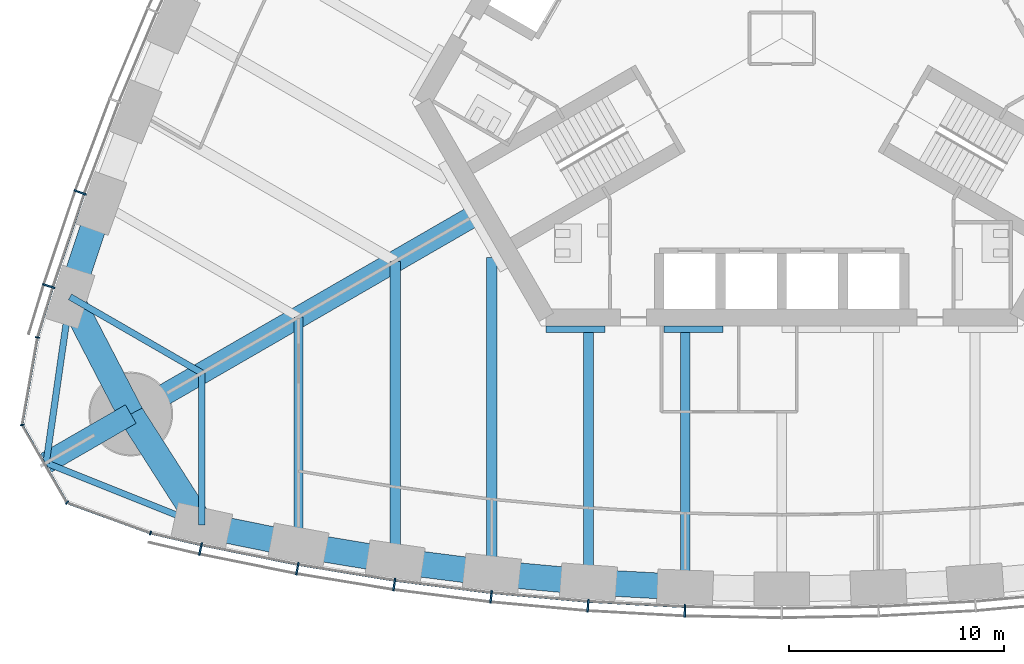
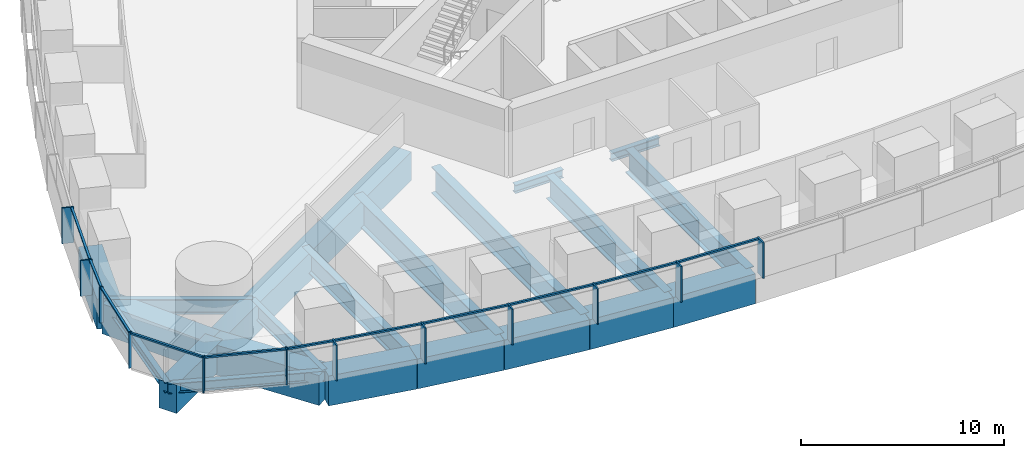
# One storey, part 2 of 18: 23 members, 21 beams, 3 elements without a shape of their own.
"""IFC4 building model written with IfcOpenShell, lengths in metres."""

from ifc_helpers import new_model, si_unit, direction, frame, origin, origin_2d, place, context, subcontext, project, spatial, rectangle, i_section, extrude, material, material_profile, profile_set, type_object, element, aggregate, save


model = new_model("IFC4")

# Units and contexts
model_context = context("Model", 3, precision=1e-05, world=origin(), true_north=direction((0.0, 1.0)))
body_context = subcontext(model_context, "Body", "Model", "MODEL_VIEW")
ifc_project = project(units=[si_unit("LENGTHUNIT", "METRE"), si_unit("AREAUNIT", "SQUARE_METRE"), si_unit("VOLUMEUNIT", "CUBIC_METRE"), si_unit("PLANEANGLEUNIT", "RADIAN"), si_unit("MASSUNIT", "GRAM", prefix="KILO")], contexts=[model_context])

# Site, building, storey
site_placement = place(None, origin())
site = spatial("IfcSite", under=ifc_project, at=site_placement, CompositionType="ELEMENT")
building_placement = place(site_placement, origin())
building = spatial("IfcBuilding", under=site, at=building_placement, Name="Trefoil Bronze Tower", CompositionType="ELEMENT")
storey_placement = place(building_placement, frame((0.0, 0.0, 174.5)))
storey = spatial("IfcBuildingStorey", under=building, at=storey_placement, Name="L40", CompositionType="ELEMENT", Elevation=174.5)

# Curtain wall, members
ifc_material_1 = material(Name="Tinted solar-control glass", Category="glass")
curtain_wall_type_1 = type_object("IfcCurtainWallType", Name="Bronze office curtain wall", PredefinedType="USERDEFINED", material=ifc_material_1)
curtain_wall_1_placement = place(storey_placement, origin())
curtain_wall_1 = element("IfcCurtainWall", 1, at=curtain_wall_1_placement, inside=storey, type_object=curtain_wall_type_1, Name="CW-A L40 F1", ObjectType="CURTAIN WALL", PredefinedType="USERDEFINED")
ifc_material_2 = material(Name="Bronze-finish aluminium", Category="aluminium")
ifc_material_profile_1 = material_profile(ifc_material_2, rectangle(XDim=0.60009765625, YDim=0.080078125, at=origin_2d()), Name="CW-A mullion")
ifc_profile_set_1 = profile_set([ifc_material_profile_1], Name="Bronze-finish aluminium")
member_type_1 = type_object("IfcMemberType", Name="Bronze office curtain wall mullion", PredefinedType="MULLION", material=ifc_profile_set_1)
member_1_placement = place(storey_placement, frame((-27.0634765625, -23.7890625, 0.0), z_axis=(0.0, 0.0, 1.0), x_axis=(0.21197042503, 0.977276081214, 0.0)))
member_1 = element("IfcMember", 2, at=member_1_placement, type_object=member_type_1, Name="CW-A L40 F1 mullion 2", PredefinedType="MULLION", context=body_context, shape_type="SweptSolid", body=[
    extrude(rectangle(XDim=0.60009765625, YDim=0.080078125, at=origin_2d()), origin(), (0.0, 0.0, 1.0), 2.14990234375),
])
member_2_placement = place(storey_placement, frame((-22.553955078125, -24.700927734375, 0.0), z_axis=(0.0, 0.0, 1.0), x_axis=(0.180240853954, 0.98362250613, 0.0)))
member_2 = element("IfcMember", 3, at=member_2_placement, type_object=member_type_1, Name="CW-A L40 F1 mullion 3", PredefinedType="MULLION", context=body_context, shape_type="SweptSolid", body=[
    extrude(rectangle(XDim=0.60009765625, YDim=0.080078125, at=origin_2d()), origin(), (0.0, 0.0, 1.0), 2.14990234375),
])
member_3_placement = place(storey_placement, frame((-18.043212890625, -25.4423828125, 0.0), z_axis=(0.0, 0.0, 1.0), x_axis=(0.144192103798, 0.989549714366, 0.0)))
member_3 = element("IfcMember", 4, at=member_3_placement, type_object=member_type_1, Name="CW-A L40 F1 mullion 4", PredefinedType="MULLION", context=body_context, shape_type="SweptSolid", body=[
    extrude(rectangle(XDim=0.60009765625, YDim=0.080078125, at=origin_2d()), origin(), (0.0, 0.0, 1.0), 2.14990234375),
])
member_4_placement = place(storey_placement, frame((-13.532470703125, -26.01611328125, 0.0), z_axis=(0.0, 0.0, 1.0), x_axis=(0.108143747013, 0.994135267447, 0.0)))
member_4 = element("IfcMember", 5, at=member_4_placement, type_object=member_type_1, Name="CW-A L40 F1 mullion 5", PredefinedType="MULLION", context=body_context, shape_type="SweptSolid", body=[
    extrude(rectangle(XDim=0.60009765625, YDim=0.080078125, at=origin_2d()), origin(), (0.0, 0.0, 1.0), 2.14990234375),
])
member_5_placement = place(storey_placement, frame((-9.021728515625, -26.424072265625, 0.0), z_axis=(0.0, 0.0, 1.0), x_axis=(0.072095676284, 0.997397720802, 0.0)))
member_5 = element("IfcMember", 6, at=member_5_placement, type_object=member_type_1, Name="CW-A L40 F1 mullion 6", PredefinedType="MULLION", context=body_context, shape_type="SweptSolid", body=[
    extrude(rectangle(XDim=0.60009765625, YDim=0.080078125, at=origin_2d()), origin(), (0.0, 0.0, 1.0), 2.14990234375),
])
member_6_placement = place(storey_placement, frame((-4.5107421875, -26.66845703125, 0.0), z_axis=(0.0, 0.0, 1.0), x_axis=(0.036047792107, 0.999350067136, 0.0)))
member_6 = element("IfcMember", 7, at=member_6_placement, type_object=member_type_1, Name="CW-A L40 F1 mullion 7", PredefinedType="MULLION", context=body_context, shape_type="SweptSolid", body=[
    extrude(rectangle(XDim=0.60009765625, YDim=0.080078125, at=origin_2d()), origin(), (0.0, 0.0, 1.0), 2.14990234375),
])

curtain_wall_2_placement = place(storey_placement, origin())
curtain_wall_2 = element("IfcCurtainWall", 8, at=curtain_wall_2_placement, inside=storey, type_object=curtain_wall_type_1, Name="CW-A L40 F3", ObjectType="CURTAIN WALL", PredefinedType="USERDEFINED")
member_7_placement = place(storey_placement, frame((-32.668701171875, -7.181884765625, 0.0), z_axis=(0.0, 0.0, 1.0), x_axis=(0.94196250502, -0.335718094742, 0.0)))
member_7 = element("IfcMember", 9, at=member_7_placement, type_object=member_type_1, Name="CW-A L40 F3 mullion 13", PredefinedType="MULLION", context=body_context, shape_type="SweptSolid", body=[
    extrude(rectangle(XDim=0.60009765625, YDim=0.080078125, at=origin_2d()), origin(), (0.0, 0.0, 1.0), 2.14990234375),
])
member_8_placement = place(storey_placement, frame((-34.1337890625, -11.543212890625, 0.0), z_axis=(0.0, 0.0, 1.0), x_axis=(0.952331125357, -0.30506626768, 0.0)))
member_8 = element("IfcMember", 10, at=member_8_placement, type_object=member_type_1, Name="CW-A L40 F3 mullion 14", PredefinedType="MULLION", context=body_context, shape_type="SweptSolid", body=[
    extrude(rectangle(XDim=0.60009765625, YDim=0.080078125, at=origin_2d()), origin(), (0.0, 0.0, 1.0), 2.14990234375),
])

# Member
ifc_material_3 = material(Name="Bronze-finish aluminium", Category="aluminium")
ifc_material_profile_2 = material_profile(ifc_material_3, rectangle(XDim=0.1201171875, YDim=0.10009765625, at=origin_2d()), Name="CW-A transom")
ifc_profile_set_2 = profile_set([ifc_material_profile_2], Name="Bronze-finish aluminium")
member_type_2 = type_object("IfcMemberType", Name="Bronze office curtain wall transom", PredefinedType="USERDEFINED", material=ifc_profile_set_2)
member_9_placement = place(storey_placement, frame((-29.34130859375, -23.05615234375, 2.10009765625), z_axis=(0.974206243495, -0.225659467196, 0.0), x_axis=(0.225659467196, 0.974206243495, 0.0)))
member_9 = element("IfcMember", 11, at=member_9_placement, type_object=member_type_2, Name="CW-A L40 F1 transom 1", ObjectType="TRANSOM", PredefinedType="USERDEFINED", context=body_context, shape_type="SweptSolid", body=[
    extrude(rectangle(XDim=0.1201171875, YDim=0.10009765625, at=origin_2d()), origin(), (0.0, 0.0, 1.0), 2.340087890625),
])

member_10_placement = place(storey_placement, frame((-26.980712890625, -23.601806640625, 2.10009765625), z_axis=(0.980153749225, -0.198238815273, 0.0), x_axis=(0.198238815273, 0.980153749225, 0.0)))
member_10 = element("IfcMember", 12, at=member_10_placement, type_object=member_type_2, Name="CW-A L40 F1 transom 2", ObjectType="TRANSOM", PredefinedType="USERDEFINED", context=body_context, shape_type="SweptSolid", body=[
    extrude(rectangle(XDim=0.1201171875, YDim=0.10009765625, at=origin_2d()), origin(), (0.0, 0.0, 1.0), 4.51123046875),
])

member_11_placement = place(storey_placement, frame((-22.476806640625, -24.510986328125, 2.10009765625), z_axis=(0.986755265284, -0.162216048636, 0.0), x_axis=(0.162216048636, 0.986755265284, 0.0)))
member_11 = element("IfcMember", 13, at=member_11_placement, type_object=member_type_2, Name="CW-A L40 F1 transom 3", ObjectType="TRANSOM", PredefinedType="USERDEFINED", context=body_context, shape_type="SweptSolid", body=[
    extrude(rectangle(XDim=0.1201171875, YDim=0.10009765625, at=origin_2d()), origin(), (0.0, 0.0, 1.0), 4.48046875),
])

member_12_placement = place(storey_placement, frame((-17.972900390625, -25.249755859375, 2.10009765625), z_axis=(0.992008387848, -0.12617193998, 0.0), x_axis=(0.12617193998, 0.992008387848, 0.0)))
member_12 = element("IfcMember", 14, at=member_12_placement, type_object=member_type_2, Name="CW-A L40 F1 transom 4", ObjectType="TRANSOM", PredefinedType="USERDEFINED", context=body_context, shape_type="SweptSolid", body=[
    extrude(rectangle(XDim=0.1201171875, YDim=0.10009765625, at=origin_2d()), origin(), (0.0, 0.0, 1.0), 4.456298828125),
])

member_13_placement = place(storey_placement, frame((-13.46923828125, -25.821044921875, 2.10009765625), z_axis=(0.995932787062, -0.090099298863, 0.0), x_axis=(0.090099298863, 0.995932787062, 0.0)))
member_13 = element("IfcMember", 15, at=member_13_placement, type_object=member_type_2, Name="CW-A L40 F1 transom 5", ObjectType="TRANSOM", PredefinedType="USERDEFINED", context=body_context, shape_type="SweptSolid", body=[
    extrude(rectangle(XDim=0.1201171875, YDim=0.10009765625, at=origin_2d()), origin(), (0.0, 0.0, 1.0), 4.4384765625),
])

member_14_placement = place(storey_placement, frame((-8.965576171875, -26.22705078125, 2.10009765625), z_axis=(0.998538253569, -0.054049571306, 0.0), x_axis=(0.054049571306, 0.998538253569, 0.0)))
member_14 = element("IfcMember", 16, at=member_14_placement, type_object=member_type_2, Name="CW-A L40 F1 transom 6", ObjectType="TRANSOM", PredefinedType="USERDEFINED", context=body_context, shape_type="SweptSolid", body=[
    extrude(rectangle(XDim=0.1201171875, YDim=0.10009765625, at=origin_2d()), origin(), (0.0, 0.0, 1.0), 4.4267578125),
])

aggregate(curtain_wall_1, [member_1, member_2, member_3, member_4, member_5, member_6, member_9, member_10, member_11, member_12, member_13, member_14])

member_15_placement = place(storey_placement, frame((-32.49365234375, -7.28857421875, 2.10009765625), z_axis=(-0.318386323729, -0.947961048178, 0.0), x_axis=(0.947961048178, -0.318386323729, 0.0)))
member_15 = element("IfcMember", 17, at=member_15_placement, type_object=member_type_2, Name="CW-A L40 F3 transom 13", ObjectType="TRANSOM", PredefinedType="USERDEFINED", context=body_context, shape_type="SweptSolid", body=[
    extrude(rectangle(XDim=0.1201171875, YDim=0.10009765625, at=origin_2d()), origin(), (0.0, 0.0, 1.0), 4.51123046875),
])

member_16_placement = place(storey_placement, frame((-33.955322265625, -11.643798828125, 2.10009765625), z_axis=(-0.291680468798, -0.956515814883, 0.0), x_axis=(0.956515814883, -0.291680468798, 0.0)))
member_16 = element("IfcMember", 18, at=member_16_placement, type_object=member_type_2, Name="CW-A L40 F3 transom 14", ObjectType="TRANSOM", PredefinedType="USERDEFINED", context=body_context, shape_type="SweptSolid", body=[
    extrude(rectangle(XDim=0.1201171875, YDim=0.10009765625, at=origin_2d()), origin(), (0.0, 0.0, 1.0), 2.34033203125),
])

aggregate(curtain_wall_2, [member_7, member_8, member_15, member_16])

# Curtain wall, members
ifc_material_4 = material(Name="Tinted solar-control glass", Category="glass")
curtain_wall_type_2 = type_object("IfcCurtainWallType", Name="Bronze rounded corner curtain wall", PredefinedType="USERDEFINED", material=ifc_material_4)
curtain_wall_3_placement = place(storey_placement, origin())
curtain_wall_3 = element("IfcCurtainWall", 19, at=curtain_wall_3_placement, inside=storey, type_object=curtain_wall_type_2, Name="CW-B L40 K3", ObjectType="CURTAIN WALL", PredefinedType="USERDEFINED")
ifc_material_5 = material(Name="Bronze-finish aluminium", Category="aluminium")
ifc_material_profile_3 = material_profile(ifc_material_5, rectangle(XDim=0.199951171875, YDim=0.06005859375, at=origin_2d()), Name="CW-B mullion")
ifc_profile_set_3 = profile_set([ifc_material_profile_3], Name="Bronze-finish aluminium")
member_type_3 = type_object("IfcMemberType", Name="Bronze rounded corner curtain wall mullion", PredefinedType="MULLION", material=ifc_profile_set_3)
member_17_placement = place(storey_placement, frame((-34.65234375, -13.932373046875, 0.0), z_axis=(0.0, 0.0, 1.0), x_axis=(0.984807753012, -0.173648177667, 0.0)))
member_17 = element("IfcMember", 20, at=member_17_placement, type_object=member_type_3, Name="CW-B L40 K3 mullion 1", PredefinedType="MULLION", context=body_context, shape_type="SweptSolid", body=[
    extrude(rectangle(XDim=0.199951171875, YDim=0.06005859375, at=origin_2d()), origin(), (0.0, 0.0, 1.0), 2.14990234375),
])
member_18_placement = place(storey_placement, frame((-35.364990234375, -18.009033203125, 0.0), z_axis=(0.0, 0.0, 1.0), x_axis=(0.984807753012, 0.173648177667, 0.0)))
member_18 = element("IfcMember", 21, at=member_18_placement, type_object=member_type_3, Name="CW-B L40 K3 mullion 2", PredefinedType="MULLION", context=body_context, shape_type="SweptSolid", body=[
    extrude(rectangle(XDim=0.199951171875, YDim=0.06005859375, at=origin_2d()), origin(), (0.0, 0.0, 1.0), 2.14990234375),
])
member_19_placement = place(storey_placement, frame((-33.27880859375, -21.62255859375, 0.0), z_axis=(0.0, 0.0, 1.0), x_axis=(0.642787609687, 0.766044443119, 0.0)))
member_19 = element("IfcMember", 22, at=member_19_placement, type_object=member_type_3, Name="CW-B L40 K3 mullion 3", PredefinedType="MULLION", context=body_context, shape_type="SweptSolid", body=[
    extrude(rectangle(XDim=0.199951171875, YDim=0.06005859375, at=origin_2d()), origin(), (0.0, 0.0, 1.0), 2.14990234375),
])
member_20_placement = place(storey_placement, frame((-29.391845703125, -23.043701171875, 0.0), z_axis=(0.0, 0.0, 1.0), x_axis=(0.342020143326, 0.939692620786, 0.0)))
member_20 = element("IfcMember", 23, at=member_20_placement, type_object=member_type_3, Name="CW-B L40 K3 mullion 4", PredefinedType="MULLION", context=body_context, shape_type="SweptSolid", body=[
    extrude(rectangle(XDim=0.199951171875, YDim=0.06005859375, at=origin_2d()), origin(), (0.0, 0.0, 1.0), 2.14990234375),
])
ifc_material_6 = material(Name="Bronze-finish aluminium", Category="aluminium")
ifc_material_profile_4 = material_profile(ifc_material_6, rectangle(XDim=0.1201171875, YDim=0.10009765625, at=origin_2d()), Name="CW-B transom")
ifc_profile_set_4 = profile_set([ifc_material_profile_4], Name="Bronze-finish aluminium")
member_type_4 = type_object("IfcMemberType", Name="Bronze rounded corner curtain wall transom", PredefinedType="USERDEFINED", material=ifc_profile_set_4)
member_21_placement = place(storey_placement, frame((-34.657470703125, -13.9619140625, 2.10009765625), z_axis=(-0.173682016639, -0.984801785689, 0.0), x_axis=(0.984801785689, -0.173682016639, 0.0)))
member_21 = element("IfcMember", 24, at=member_21_placement, type_object=member_type_4, Name="CW-B L40 K3 transom 1", ObjectType="TRANSOM", PredefinedType="USERDEFINED", context=body_context, shape_type="SweptSolid", body=[
    extrude(rectangle(XDim=0.1201171875, YDim=0.10009765625, at=origin_2d()), origin(), (0.0, 0.0, 1.0), 4.044189453125),
])
member_22_placement = place(storey_placement, frame((-35.338134765625, -18.067626953125, 2.10009765625), z_axis=(0.500015078168, -0.866016698225, 0.0), x_axis=(0.866016698225, 0.500015078168, 0.0)))
member_22 = element("IfcMember", 25, at=member_22_placement, type_object=member_type_4, Name="CW-B L40 K3 transom 2", ObjectType="TRANSOM", PredefinedType="USERDEFINED", context=body_context, shape_type="SweptSolid", body=[
    extrude(rectangle(XDim=0.1201171875, YDim=0.10009765625, at=origin_2d()), origin(), (0.0, 0.0, 1.0), 4.04443359375),
])
member_23_placement = place(storey_placement, frame((-33.220458984375, -21.650146484375, 2.10009765625), z_axis=(0.939684096629, -0.342043562347, 0.0), x_axis=(0.342043562347, 0.939684096629, 0.0)))
member_23 = element("IfcMember", 26, at=member_23_placement, type_object=member_type_4, Name="CW-B L40 K3 transom 3", ObjectType="TRANSOM", PredefinedType="USERDEFINED", context=body_context, shape_type="SweptSolid", body=[
    extrude(rectangle(XDim=0.1201171875, YDim=0.10009765625, at=origin_2d()), origin(), (0.0, 0.0, 1.0), 4.044189453125),
])
aggregate(curtain_wall_3, [member_17, member_18, member_19, member_20, member_21, member_22, member_23])

# Beams
ifc_material_7 = material(Name="Steel C355", Category="steel")
ifc_material_profile_5 = material_profile(ifc_material_7, i_section(OverallWidth=0.300048828125, OverallDepth=0.5, WebThickness=0.014404296875, FlangeThickness=0.028076171875, FilletRadius=0.027099609375, at=origin_2d()), Name="HEB 500")
ifc_profile_set_5 = profile_set([ifc_material_profile_5], Name="Steel C355")
beam_type_1 = type_object("IfcBeamType", Name="Core seat beam HEB 500", PredefinedType="BEAM", material=ifc_profile_set_5)
for number, where, z_axis, x_axis, name in (
    (27, (-10.9697265625, -13.550048828125, -0.449951171875), (1.0, 0.0, 0.0), (0.0, 1.0, 0.0), "Core seat beam F1/-2 L40"),
    (28, (-5.48486328125, -13.550048828125, -0.449951171875), (1.0, 0.0, 0.0), (0.0, 1.0, 0.0), "Core seat beam F1/-1 L40"),
):
    element("IfcBeam", number, at=place(storey_placement, frame(where, z_axis=z_axis, x_axis=x_axis)), inside=storey, type_object=beam_type_1, Name=name, PredefinedType="BEAM", context=body_context, shape_type="SweptSolid", body=[
        extrude(i_section(OverallWidth=0.300048828125, OverallDepth=0.5, WebThickness=0.014404296875, FlangeThickness=0.028076171875, FilletRadius=0.027099609375, at=origin_2d()), origin(), (0.0, 0.0, 1.0), 2.742431640625),
    ])
ifc_material_8 = material(Name="Concrete B80", Category="concrete")
ifc_material_profile_6 = material_profile(ifc_material_8, rectangle(XDim=1.0, YDim=1.699951171875, at=origin_2d()), Name="RC 1000x1700")
ifc_profile_set_6 = profile_set([ifc_material_profile_6], Name="Concrete B80")
beam_type_2 = type_object("IfcBeamType", Name="Corner cantilever RC 1000x1700", PredefinedType="BEAM", material=ifc_profile_set_6)
beam_1_placement = place(storey_placement, frame((-30.310791015625, -17.5, -1.050048828125), z_axis=(-0.866031878637, -0.499988785058, 0.0), x_axis=(0.499988785058, -0.866031878637, 0.0)))
element("IfcBeam", 29, at=beam_1_placement, inside=storey, type_object=beam_type_2, Name="Corner cantilever K3 L40", PredefinedType="BEAM", context=body_context, shape_type="SweptSolid", body=[
    extrude(rectangle(XDim=1.0, YDim=1.699951171875, at=origin_2d()), origin(), (0.0, 0.0, 1.0), 4.54931640625),
])
ifc_material_9 = material(Name="Steel C355", Category="steel")
ifc_material_profile_7 = material_profile(ifc_material_9, i_section(OverallWidth=0.300048828125, OverallDepth=0.60009765625, WebThickness=0.015380859375, FlangeThickness=0.030029296875, FilletRadius=0.027099609375, at=origin_2d()), Name="HEB 600")
ifc_profile_set_7 = profile_set([ifc_material_profile_7], Name="Steel C355")
beam_type_3 = type_object("IfcBeamType", Name="Corner edge beam HEB 600", PredefinedType="BEAM", material=ifc_profile_set_7)
for number, where, z_axis, x_axis, name in (
    (30, (-27.0, -22.67724609375, -0.5), (-0.928375332495, 0.371643972122, 0.0), (-0.371643972122, -0.928375332495, 0.0), "Corner edge beam F1B L40"),
    (31, (-33.13916015625, -12.044189453125, -0.5), (-0.142327214588, -0.989819662357, 0.0), (0.989819662357, -0.142327214588, 0.0), "Corner edge beam F3A L40"),
):
    element("IfcBeam", number, at=place(storey_placement, frame(where, z_axis=z_axis, x_axis=x_axis)), inside=storey, type_object=beam_type_3, Name=name, PredefinedType="BEAM", context=body_context, shape_type="SweptSolid", body=[
        extrude(i_section(OverallWidth=0.300048828125, OverallDepth=0.60009765625, WebThickness=0.015380859375, FlangeThickness=0.030029296875, FilletRadius=0.027099609375, at=origin_2d()), origin(), (0.0, 0.0, 1.0), 7.81005859375),
    ])
ifc_material_10 = material(Name="Concrete B80", Category="concrete")
ifc_material_profile_8 = material_profile(ifc_material_10, rectangle(XDim=1.0, YDim=1.699951171875, at=origin_2d()), Name="RC 1000x1700")
ifc_profile_set_8 = profile_set([ifc_material_profile_8], Name="Concrete B80")
beam_type_4 = type_object("IfcBeamType", Name="Corner girder RC 1000x1700", PredefinedType="BEAM", material=ifc_profile_set_8)
beam_2_placement = place(storey_placement, frame((-14.202880859375, -8.199951171875, -1.050048828125), z_axis=(-0.866022084834, -0.500005748546, 0.0), x_axis=(0.500005748546, -0.866022084834, 0.0)))
element("IfcBeam", 32, at=beam_2_placement, inside=storey, type_object=beam_type_4, Name="Corner girder K3 L40", PredefinedType="BEAM", context=body_context, shape_type="SweptSolid", body=[
    extrude(rectangle(XDim=1.0, YDim=1.699951171875, at=origin_2d()), origin(), (0.0, 0.0, 1.0), 18.599853515625),
])
ifc_material_11 = material(Name="Concrete B80", Category="concrete")
ifc_material_profile_9 = material_profile(ifc_material_11, rectangle(XDim=1.199951171875, YDim=1.800048828125, at=origin_2d()), Name="RC 1200x1800")
ifc_profile_set_9 = profile_set([ifc_material_profile_9], Name="Concrete B80")
beam_type_5 = type_object("IfcBeamType", Name="End spandrel beam RC 1200x1800", PredefinedType="SPANDREL", material=ifc_profile_set_9)
for number, where, z_axis, x_axis, name in (
    (33, (-30.310791015625, -17.5, -1.10009765625), (0.53874814953, -0.84246687257, 0.0), (0.84246687257, 0.53874814953, 0.0), "Spandrel F1.1 L40"),
    (34, (-33.13916015625, -12.044189453125, -1.10009765625), (0.460244107083, -0.887792409235, 0.0), (0.887792409235, 0.460244107083, 0.0), "Spandrel F3.14 L40"),
):
    element("IfcBeam", number, at=place(storey_placement, frame(where, z_axis=z_axis, x_axis=x_axis)), inside=storey, type_object=beam_type_5, Name=name, PredefinedType="SPANDREL", context=body_context, shape_type="SweptSolid", body=[
        extrude(rectangle(XDim=1.199951171875, YDim=1.800048828125, at=origin_2d()), origin(), (0.0, 0.0, 1.0), 6.145263671875),
    ])
ifc_material_12 = material(Name="Steel C355", Category="steel")
ifc_material_profile_10 = material_profile(ifc_material_12, i_section(OverallWidth=0.300048828125, OverallDepth=0.89990234375, WebThickness=0.0185546875, FlangeThickness=0.034912109375, FilletRadius=0.030029296875, at=origin_2d()), Name="HEB 900")
ifc_profile_set_10 = profile_set([ifc_material_profile_10], Name="Steel C355")
beam_type_6 = type_object("IfcBeamType", Name="Floor beam HEB 900", PredefinedType="BEAM", material=ifc_profile_set_10)
for number, where, z_axis, x_axis, name in (
    (35, (-27.0, -22.67724609375, -0.64990234375), (0.0, 1.0, 0.0), (-1.0, 0.0, 0.0), "Floor beam F1/-6 L40"),
    (36, (-33.13916015625, -12.044189453125, -0.64990234375), (0.866041060244, -0.499972881236, 0.0), (0.499972881236, 0.866041060244, 0.0), "Floor beam F3/+6 L40"),
):
    element("IfcBeam", number, at=place(storey_placement, frame(where, z_axis=z_axis, x_axis=x_axis)), inside=storey, type_object=beam_type_6, Name=name, PredefinedType="BEAM", context=body_context, shape_type="SweptSolid", body=[
        extrude(i_section(OverallWidth=0.300048828125, OverallDepth=0.89990234375, WebThickness=0.0185546875, FlangeThickness=0.034912109375, FilletRadius=0.030029296875, at=origin_2d()), origin(), (0.0, 0.0, 1.0), 7.0888671875),
    ])
ifc_material_13 = material(Name="Steel C355", Category="steel")
ifc_material_profile_11 = material_profile(ifc_material_13, i_section(OverallWidth=0.39990234375, OverallDepth=1.199951171875, WebThickness=0.02001953125, FlangeThickness=0.0400390625, FilletRadius=0.010009765625, at=origin_2d()), Name="WPG 1200")
ifc_profile_set_11 = profile_set([ifc_material_profile_11], Name="Steel C355")
beam_type_7 = type_object("IfcBeamType", Name="Floor beam WPG 1200", PredefinedType="BEAM", material=ifc_profile_set_11)
beam_3_placement = place(storey_placement, frame((-22.5, -23.592529296875, -0.800048828125), z_axis=(0.0, 1.0, 0.0), x_axis=(-1.0, 0.0, 0.0)))
element("IfcBeam", 37, at=beam_3_placement, inside=storey, type_object=beam_type_7, Name="Floor beam F1/-5 L40", PredefinedType="BEAM", context=body_context, shape_type="SweptSolid", body=[
    extrude(i_section(OverallWidth=0.39990234375, OverallDepth=1.199951171875, WebThickness=0.02001953125, FlangeThickness=0.0400390625, FilletRadius=0.010009765625, at=origin_2d()), origin(), (0.0, 0.0, 1.0), 10.60205078125),
])
ifc_material_14 = material(Name="Steel C355", Category="steel")
ifc_material_profile_12 = material_profile(ifc_material_14, i_section(OverallWidth=0.449951171875, OverallDepth=1.39990234375, WebThickness=0.02294921875, FlangeThickness=0.044921875, FilletRadius=0.011962890625, at=origin_2d()), Name="WPG 1400")
ifc_profile_set_12 = profile_set([ifc_material_profile_12], Name="Steel C355")
beam_type_8 = type_object("IfcBeamType", Name="Floor beam WPG 1400", PredefinedType="BEAM", material=ifc_profile_set_12)
beam_4_placement = place(storey_placement, frame((-9.0, -25.32275390625, -0.89990234375), z_axis=(0.0, 1.0, 0.0), x_axis=(-1.0, 0.0, 0.0)))
element("IfcBeam", 38, at=beam_4_placement, inside=storey, type_object=beam_type_8, Name="Floor beam F1/-2 L40", PredefinedType="BEAM", context=body_context, shape_type="SweptSolid", body=[
    extrude(i_section(OverallWidth=0.449951171875, OverallDepth=1.39990234375, WebThickness=0.02294921875, FlangeThickness=0.044921875, FilletRadius=0.011962890625, at=origin_2d()), origin(), (0.0, 0.0, 1.0), 11.622802734375),
])
beam_5_placement = place(storey_placement, frame((-4.5, -25.568115234375, -0.89990234375), z_axis=(0.0, 1.0, 0.0), x_axis=(-1.0, 0.0, 0.0)))
element("IfcBeam", 39, at=beam_5_placement, inside=storey, type_object=beam_type_8, Name="Floor beam F1/-1 L40", PredefinedType="BEAM", context=body_context, shape_type="SweptSolid", body=[
    extrude(i_section(OverallWidth=0.449951171875, OverallDepth=1.39990234375, WebThickness=0.02294921875, FlangeThickness=0.044921875, FilletRadius=0.011962890625, at=origin_2d()), origin(), (0.0, 0.0, 1.0), 11.8681640625),
])
ifc_material_15 = material(Name="Steel C355", Category="steel")
ifc_material_profile_13 = material_profile(ifc_material_15, i_section(OverallWidth=0.5, OverallDepth=1.60009765625, WebThickness=0.02587890625, FlangeThickness=0.050048828125, FilletRadius=0.011962890625, at=origin_2d()), Name="WPG 1600")
ifc_profile_set_13 = profile_set([ifc_material_profile_13], Name="Steel C355")
beam_type_9 = type_object("IfcBeamType", Name="Floor beam WPG 1600", PredefinedType="BEAM", material=ifc_profile_set_13)
beam_6_placement = place(storey_placement, frame((-18.0, -24.337158203125, -1.0), z_axis=(0.0, 1.0, 0.0), x_axis=(-1.0, 0.0, 0.0)))
element("IfcBeam", 40, at=beam_6_placement, inside=storey, type_object=beam_type_9, Name="Floor beam F1/-4 L40", PredefinedType="BEAM", context=body_context, shape_type="SweptSolid", body=[
    extrude(i_section(OverallWidth=0.5, OverallDepth=1.60009765625, WebThickness=0.02587890625, FlangeThickness=0.050048828125, FilletRadius=0.011962890625, at=origin_2d()), origin(), (0.0, 0.0, 1.0), 13.94482421875),
])
beam_7_placement = place(storey_placement, frame((-13.5, -24.9130859375, -1.0), z_axis=(0.0, 1.0, 0.0), x_axis=(-1.0, 0.0, 0.0)))
element("IfcBeam", 41, at=beam_7_placement, inside=storey, type_object=beam_type_9, Name="Floor beam F1/-3 L40", PredefinedType="BEAM", context=body_context, shape_type="SweptSolid", body=[
    extrude(i_section(OverallWidth=0.5, OverallDepth=1.60009765625, WebThickness=0.02587890625, FlangeThickness=0.050048828125, FilletRadius=0.011962890625, at=origin_2d()), origin(), (0.0, 0.0, 1.0), 14.69580078125),
])
ifc_material_16 = material(Name="Concrete B80", Category="concrete")
ifc_material_profile_14 = material_profile(ifc_material_16, rectangle(XDim=1.199951171875, YDim=1.800048828125, at=origin_2d()), Name="RC 1200x1800")
ifc_profile_set_14 = profile_set([ifc_material_profile_14], Name="Concrete B80")
beam_type_10 = type_object("IfcBeamType", Name="Spandrel beam RC 1200x1800", PredefinedType="SPANDREL", material=ifc_profile_set_14)
beam_8_placement = place(storey_placement, frame((-27.0, -22.67724609375, -1.10009765625), z_axis=(0.979935430296, -0.199315208777, 0.0), x_axis=(0.199315208777, 0.979935430296, 0.0)))
element("IfcBeam", 42, at=beam_8_placement, inside=storey, type_object=beam_type_10, Name="Spandrel F1.2 L40", PredefinedType="SPANDREL", context=body_context, shape_type="SweptSolid", body=[
    extrude(rectangle(XDim=1.199951171875, YDim=1.800048828125, at=origin_2d()), origin(), (0.0, 0.0, 1.0), 4.592041015625),
])
beam_9_placement = place(storey_placement, frame((-22.5, -23.592529296875, -1.10009765625), z_axis=(0.986584214684, -0.163253138823, 0.0), x_axis=(0.163253138823, 0.986584214684, 0.0)))
element("IfcBeam", 43, at=beam_9_placement, inside=storey, type_object=beam_type_10, Name="Spandrel F1.3 L40", PredefinedType="SPANDREL", context=body_context, shape_type="SweptSolid", body=[
    extrude(rectangle(XDim=1.199951171875, YDim=1.800048828125, at=origin_2d()), origin(), (0.0, 0.0, 1.0), 4.561279296875),
])
beam_10_placement = place(storey_placement, frame((-18.0, -24.337158203125, -1.10009765625), z_axis=(0.991909314257, -0.126948463126, 0.0), x_axis=(0.126948463126, 0.991909314257, 0.0)))
element("IfcBeam", 44, at=beam_10_placement, inside=storey, type_object=beam_type_10, Name="Spandrel F1.4 L40", PredefinedType="SPANDREL", context=body_context, shape_type="SweptSolid", body=[
    extrude(rectangle(XDim=1.199951171875, YDim=1.800048828125, at=origin_2d()), origin(), (0.0, 0.0, 1.0), 4.53662109375),
])
beam_11_placement = place(storey_placement, frame((-13.5, -24.9130859375, -1.10009765625), z_axis=(0.995881683815, -0.090662405894, 0.0), x_axis=(0.090662405894, 0.995881683815, 0.0)))
element("IfcBeam", 45, at=beam_11_placement, inside=storey, type_object=beam_type_10, Name="Spandrel F1.5 L40", PredefinedType="SPANDREL", context=body_context, shape_type="SweptSolid", body=[
    extrude(rectangle(XDim=1.199951171875, YDim=1.800048828125, at=origin_2d()), origin(), (0.0, 0.0, 1.0), 4.5185546875),
])
beam_12_placement = place(storey_placement, frame((-9.0, -25.32275390625, -1.10009765625), z_axis=(0.998516832602, -0.054443870267, 0.0), x_axis=(0.054443870267, 0.998516832602, 0.0)))
element("IfcBeam", 46, at=beam_12_placement, inside=storey, type_object=beam_type_10, Name="Spandrel F1.6 L40", PredefinedType="SPANDREL", context=body_context, shape_type="SweptSolid", body=[
    extrude(rectangle(XDim=1.199951171875, YDim=1.800048828125, at=origin_2d()), origin(), (0.0, 0.0, 1.0), 4.506591796875),
])
beam_13_placement = place(storey_placement, frame((-31.681884765625, -7.689208984375, -1.10009765625), z_axis=(-0.31732802068, -0.948315837309, 0.0), x_axis=(0.948315837309, -0.31732802068, 0.0)))
element("IfcBeam", 47, at=beam_13_placement, inside=storey, type_object=beam_type_10, Name="Spandrel F3.13 L40", PredefinedType="SPANDREL", context=body_context, shape_type="SweptSolid", body=[
    extrude(rectangle(XDim=1.199951171875, YDim=1.800048828125, at=origin_2d()), origin(), (0.0, 0.0, 1.0), 4.59228515625),
])

save(model, "model.ifc")
